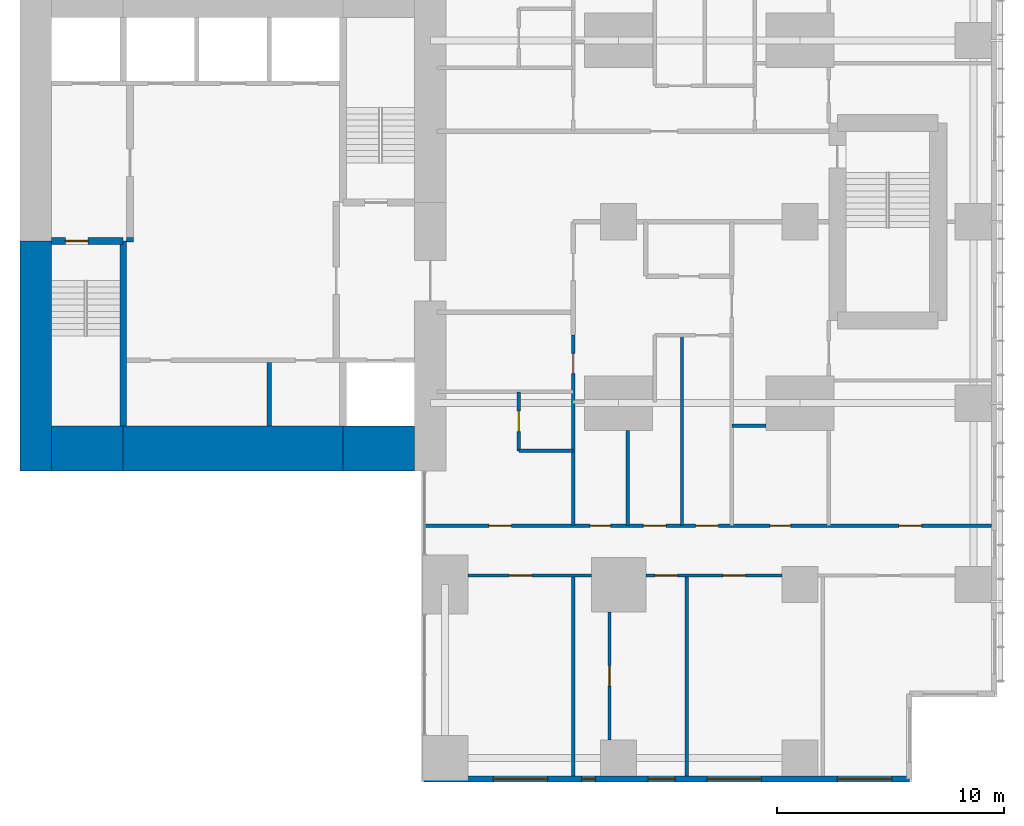
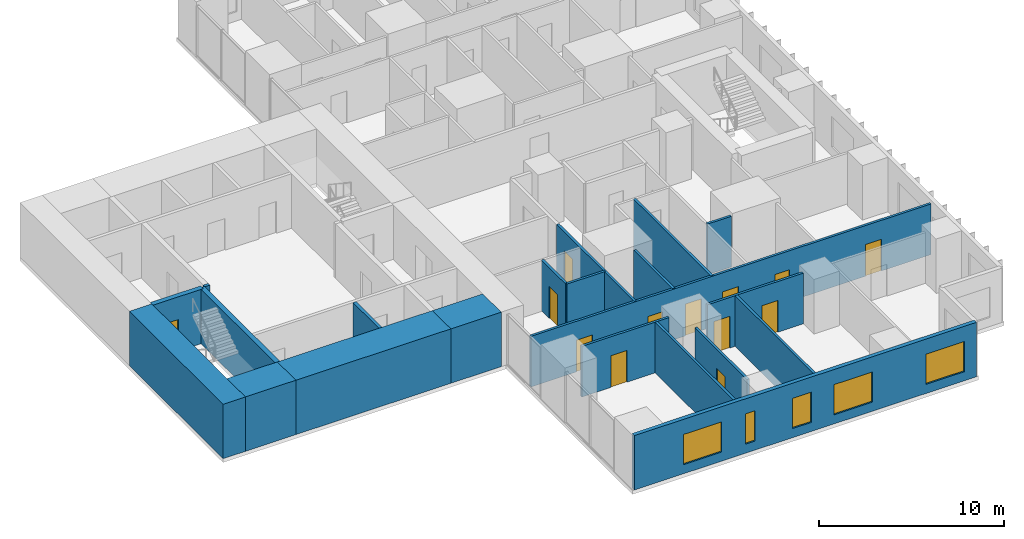
# One storey, part 7 of 12: 21 walls, 13 doors, 5 windows, 18 openings.
"""IFC4 building model written with IfcOpenShell, lengths in metres."""

import ifcopenshell
import ifcopenshell.guid

model = None  # the IFC model being written
_history = None  # IfcOwnerHistory: only IFC2X3 demands one
_inside = {}  # id of a spatial element -> (the spatial element, [elements in it])
_under = {}  # id of a project, library or spatial element -> (it, [spatial elements below it])
_declared = {}  # id of a project -> (the project, [libraries it declares])
_typed = {}  # id of a type object -> (the type object, [elements of that type])
_made_of = {}  # id of a material, layer set ... -> (it, [elements and type objects made of it])


def new_model(schema):
    """Start an empty IFC model of exactly this schema.

    Asked for "IFC4X3", IfcOpenShell would pick the latest addendum, in which some entities
    have other attributes; the version numbers below select the first issue.
    IFC2X3 requires an IfcOwnerHistory on every rooted entity: one is made here for all.
    """
    global model, _history
    if schema == "IFC4X3":
        model = ifcopenshell.file(schema_version=(4, 3, 0, 0))
    else:
        model = ifcopenshell.file(schema=schema)
    _inside.clear()
    _under.clear()
    _declared.clear()
    _typed.clear()
    _made_of.clear()
    _history = None
    if model.schema == "IFC2X3":
        org = make("IfcOrganization", Name="unknown")
        user = make(
            "IfcPersonAndOrganization",
            ThePerson=make("IfcPerson", FamilyName="unknown"),
            TheOrganization=org,
        )
        app = make(
            "IfcApplication",
            ApplicationDeveloper=org,
            Version="unknown",
            ApplicationFullName="unknown",
            ApplicationIdentifier="unknown",
        )
        _history = make(
            "IfcOwnerHistory",
            OwningUser=user,
            OwningApplication=app,
            ChangeAction="ADDED",
            CreationDate=0,
        )
    return model


def make(cls, **values):
    """One entity of the class cls with the attributes given. An attribute that is None is left unset."""
    return model.create_entity(
        cls, **{name: value for name, value in values.items() if value is not None}
    )


def rooted(cls, **values):
    """An entity with a GlobalId (a new one), such as an element, a storey or a relation."""
    return make(cls, GlobalId=ifcopenshell.guid.new(), OwnerHistory=_history, **values)


def si_unit(unit_type, name, prefix=None):
    """IfcSIUnit, for example si_unit("LENGTHUNIT", "METRE", prefix="MILLI")."""
    return make("IfcSIUnit", UnitType=unit_type, Prefix=prefix, Name=name)


def assignment(units):
    """IfcUnitAssignment: the units of a project."""
    return None if units is None else make("IfcUnitAssignment", Units=units)


def point(xyz):
    """IfcCartesianPoint."""
    return None if xyz is None else make("IfcCartesianPoint", Coordinates=xyz)


def direction(xyz):
    """IfcDirection."""
    return None if xyz is None else make("IfcDirection", DirectionRatios=xyz)


def frame(location, z_axis=None, x_axis=None):
    """IfcAxis2Placement3D, a coordinate frame: its origin and axes. An axis left out is left unset."""
    return make(
        "IfcAxis2Placement3D",
        Location=point(location),
        Axis=direction(z_axis),
        RefDirection=direction(x_axis),
    )


def frame_2d(location, x_axis=None):
    """IfcAxis2Placement2D, a coordinate frame in the plane: its origin and x axis."""
    return make(
        "IfcAxis2Placement2D", Location=point(location), RefDirection=direction(x_axis)
    )


def origin():
    """The frame at (0, 0, 0) with its axes left unset."""
    return frame((0.0, 0.0, 0.0))


def place(relative_to, where):
    """IfcLocalPlacement: puts the frame where relative to a parent placement (None: the world)."""
    return make(
        "IfcLocalPlacement", PlacementRelTo=relative_to, RelativePlacement=where
    )


def context(
    kind, dimensions, precision=None, world=None, true_north=None, identifier=None
):
    """IfcGeometricRepresentationContext, for example the 3D "Model" context."""
    return make(
        "IfcGeometricRepresentationContext",
        ContextIdentifier=identifier,
        ContextType=kind,
        CoordinateSpaceDimension=dimensions,
        Precision=precision,
        WorldCoordinateSystem=world,
        TrueNorth=true_north,
    )


def subcontext(parent, identifier, kind, view, scale=None):
    """IfcGeometricRepresentationSubContext, for example "Body" below "Model"."""
    return make(
        "IfcGeometricRepresentationSubContext",
        ContextIdentifier=identifier,
        ContextType=kind,
        ParentContext=parent,
        TargetScale=scale,
        TargetView=view,
    )


def project(units=None, contexts=None):
    """IfcProject with its units and contexts."""
    return rooted(
        "IfcProject",
        Name="project",
        RepresentationContexts=contexts,
        UnitsInContext=assignment(units),
    )


def spatial(cls, under=None, at=None, **own):
    """A site, building, storey or space (cls), placed at a placement, below another one or the project."""
    s = rooted(cls, ObjectPlacement=at, **own)
    if under is not None:
        _under.setdefault(under.id(), (under, []))[1].append(s)
    return s


def profile(cls, at=None, kind="AREA", **sizes):
    """A parametric profile (cls). Its sizes go by their IFC names, for example OverallWidth=200.0."""
    return make(cls, ProfileType=kind, Position=at, **sizes)


def rectangle(**sizes):
    """IfcRectangleProfileDef."""
    return profile("IfcRectangleProfileDef", **sizes)


def extrude(swept, where, along, depth):
    """IfcExtrudedAreaSolid: the profile swept, set in the frame where, extruded along a direction by depth."""
    return make(
        "IfcExtrudedAreaSolid",
        SweptArea=swept,
        Position=where,
        ExtrudedDirection=direction(along),
        Depth=depth,
    )


def shape(context_of_items, identifier, shape_type, items):
    """IfcShapeRepresentation: the items that make up one representation, for example the "Body"."""
    return make(
        "IfcShapeRepresentation",
        ContextOfItems=context_of_items,
        RepresentationIdentifier=identifier,
        RepresentationType=shape_type,
        Items=items,
    )


def material(Name=None, Category=None):
    """IfcMaterial."""
    return make("IfcMaterial", Name=Name, Category=Category)


def layer(
    of_material, thickness, ventilated=None, Name=None, Category=None, Priority=None
):
    """IfcMaterialLayer: one layer of a wall or slab, of a material (None: an air gap)."""
    return make(
        "IfcMaterialLayer",
        Material=of_material,
        LayerThickness=thickness,
        IsVentilated=ventilated,
        Name=Name,
        Category=Category,
        Priority=Priority,
    )


def layer_set(layers, Name=None):
    """IfcMaterialLayerSet."""
    return make("IfcMaterialLayerSet", MaterialLayers=layers, LayerSetName=Name)


def made_of(thing, what):
    """Note that an element or type object is made of a material, layer set ...; save() writes the relation."""
    if what is not None:
        _made_of.setdefault(what.id(), (what, []))[1].append(thing)
    return thing


def type_object(cls, material=None, **own):
    """A type object (cls), such as IfcWallType, which elements share."""
    return made_of(rooted(cls, **own), material)


def element(
    cls,
    number,
    at=None,
    inside=None,
    cuts=None,
    type_object=None,
    material=None,
    context=None,
    identifier="Body",
    shape_type=None,
    held_by="IfcProductDefinitionShape",
    body=None,
    shapes=None,
    **own,
):
    """One element of the class cls, such as IfcWall. Its Tag is "e" and its number.

    at: its placement. inside: the storey or other place that contains it. cuts: it is an
    opening in that element (IfcRelVoidsElement). A single representation is given by context,
    identifier, shape_type and body (its items); several are given by shapes. held_by: the class
    of the entity that holds the representations. save() writes the other relations.
    """
    e = rooted(cls, Tag="e%d" % number, ObjectPlacement=at, **own)
    if body is not None:
        shapes = [shape(context, identifier, shape_type, body)]
    if shapes is not None:
        e.Representation = make(held_by, Representations=shapes)
    if inside is not None:
        _inside.setdefault(inside.id(), (inside, []))[1].append(e)
    if cuts is not None:
        rooted(
            "IfcRelVoidsElement", RelatingBuildingElement=cuts, RelatedOpeningElement=e
        )
    if type_object is not None:
        _typed.setdefault(type_object.id(), (type_object, []))[1].append(e)
    return made_of(e, material)


def fill(opening, filler):
    """IfcRelFillsElement: the door or window that sits in an opening."""
    return rooted(
        "IfcRelFillsElement",
        RelatingOpeningElement=opening,
        RelatedBuildingElement=filler,
    )


def aggregate(whole, parts):
    """IfcRelAggregates: a whole, such as a stair, and the parts it consists of."""
    return rooted("IfcRelAggregates", RelatingObject=whole, RelatedObjects=parts)


def save(model, path):
    """Write the relations noted so far, then the file.

    IfcRelAggregates (storeys below a building ...), IfcRelContainedInSpatialStructure (elements
    in a storey), IfcRelDefinesByType, IfcRelAssociatesMaterial and IfcRelDeclares: one each for
    every whole, place, type object, material and project.
    """
    for whole, parts in _under.values():
        aggregate(whole, parts)
    for where, things in _inside.values():
        rooted(
            "IfcRelContainedInSpatialStructure",
            RelatedElements=things,
            RelatingStructure=where,
        )
    for kind, things in _typed.values():
        rooted("IfcRelDefinesByType", RelatedObjects=things, RelatingType=kind)
    for what, things in _made_of.values():
        rooted("IfcRelAssociatesMaterial", RelatedObjects=things, RelatingMaterial=what)
    for by, libraries in _declared.values():
        rooted("IfcRelDeclares", RelatingContext=by, RelatedDefinitions=libraries)
    model.write(path)


model = new_model("IFC4")

# Units and contexts
model_context = context("Model", 3, precision=1e-05, world=origin(), true_north=direction((0.0, 1.0)))
body_context = subcontext(model_context, "Body", "Model", "MODEL_VIEW")
ifc_project = project(units=[si_unit("LENGTHUNIT", "METRE"), si_unit("AREAUNIT", "SQUARE_METRE"), si_unit("VOLUMEUNIT", "CUBIC_METRE"), si_unit("PLANEANGLEUNIT", "RADIAN"), si_unit("MASSUNIT", "GRAM", prefix="KILO")], contexts=[model_context])

# Site, building, storey
site_placement = place(None, origin())
site = spatial("IfcSite", under=ifc_project, at=site_placement, CompositionType="ELEMENT")
building_placement = place(site_placement, origin())
building = spatial("IfcBuilding", under=site, at=building_placement, Name="Cleftline Residences", CompositionType="ELEMENT")
storey_placement = place(building_placement, frame((0.0, 0.0, 248.39990234375)))
storey = spatial("IfcBuildingStorey", under=building, at=storey_placement, Name="L65", CompositionType="ELEMENT", Elevation=248.39990234375)

# Walls
ifc_material_1 = material(Name="Concrete B70", Category="concrete")
ifc_layer_1 = layer(ifc_material_1, 1.39990234375)
ifc_layer_set_1 = layer_set([ifc_layer_1], Name="CORE WALL 1400")
wall_type_1 = type_object("IfcWallType", Name="CORE WALL 1400", PredefinedType="SHEAR", material=ifc_layer_set_1)
wall_1_placement = place(storey_placement, frame((24.300048828125, 13.0, 0.0), z_axis=(0.0, 0.0, 1.0), x_axis=(0.0, 1.0, 0.0)))
element("IfcWall", 1, at=wall_1_placement, inside=storey, type_object=wall_type_1, Name="Core wall W0", PredefinedType="SHEAR", context=body_context, shape_type="SweptSolid", body=[
    extrude(rectangle(XDim=10.14990234375, YDim=1.39990234375, at=frame_2d((5.074951171875, 0.0))), origin(), (0.0, 0.0, 1.0), 3.60009765625),
])
ifc_material_2 = material(Name="Concrete B70", Category="concrete")
ifc_layer_2 = layer(ifc_material_2, 2.0)
ifc_layer_set_2 = layer_set([ifc_layer_2], Name="CORE WALL 2000")
wall_type_2 = type_object("IfcWallType", Name="CORE WALL 2000", PredefinedType="SHEAR", material=ifc_layer_set_2)
wall_2_placement = place(storey_placement, frame((25.0, 14.0, 0.0), z_axis=(0.0, 0.0, 1.0), x_axis=(1.0, 0.0, 0.0)))
element("IfcWall", 2, at=wall_2_placement, inside=storey, type_object=wall_type_2, Name="Core wall S1", PredefinedType="SHEAR", context=body_context, shape_type="SweptSolid", body=[
    extrude(rectangle(XDim=3.14990234375, YDim=2.0, at=frame_2d((1.574951171875, 0.0))), origin(), (0.0, 0.0, 1.0), 3.60009765625),
])
wall_3_placement = place(storey_placement, frame((28.14990234375, 14.0, 0.0), z_axis=(0.0, 0.0, 1.0), x_axis=(1.0, 0.0, 0.0)))
element("IfcWall", 3, at=wall_3_placement, inside=storey, type_object=wall_type_2, Name="Core wall S2", PredefinedType="SHEAR", context=body_context, shape_type="SweptSolid", body=[
    extrude(rectangle(XDim=9.7001953125, YDim=2.0, at=frame_2d((4.85009765625, 0.0))), origin(), (0.0, 0.0, 1.0), 3.60009765625),
])
wall_4_placement = place(storey_placement, frame((37.85009765625, 14.0, 0.0), z_axis=(0.0, 0.0, 1.0), x_axis=(1.0, 0.0, 0.0)))
element("IfcWall", 4, at=wall_4_placement, inside=storey, type_object=wall_type_2, Name="Core wall S3", PredefinedType="SHEAR", context=body_context, shape_type="SweptSolid", body=[
    extrude(rectangle(XDim=3.14990234375, YDim=2.0, at=frame_2d((1.574951171875, 0.0))), origin(), (0.0, 0.0, 1.0), 3.60009765625),
])
ifc_material_3 = material(Name="Concrete B70", Category="concrete")
ifc_layer_3 = layer(ifc_material_3, 0.300048828125)
ifc_layer_set_3 = layer_set([ifc_layer_3], Name="CORE WALL 300")
wall_type_3 = type_object("IfcWallType", Name="CORE WALL 300", PredefinedType="SHEAR", material=ifc_layer_set_3)
wall_5_placement = place(storey_placement, frame((28.14990234375, 15.0, 0.0), z_axis=(0.0, 0.0, 1.0), x_axis=(0.0, 1.0, 0.0)))
element("IfcWall", 5, at=wall_5_placement, inside=storey, type_object=wall_type_3, Name="Core wall SA-E", PredefinedType="SHEAR", context=body_context, shape_type="SweptSolid", body=[
    extrude(rectangle(XDim=8.14990234375, YDim=0.300048828125, at=frame_2d((4.074951171875, 0.0))), origin(), (0.0, 0.0, 1.0), 3.60009765625),
])

# Wall, opening, door
wall_6_placement = place(storey_placement, frame((25.0, 23.14990234375, 0.0), z_axis=(0.0, 0.0, 1.0), x_axis=(1.0, 0.0, 0.0)))
wall_6 = element("IfcWall", 6, at=wall_6_placement, inside=storey, type_object=wall_type_3, Name="Core wall SA-N", PredefinedType="SHEAR", context=body_context, shape_type="SweptSolid", body=[
    extrude(rectangle(XDim=3.14990234375, YDim=0.300048828125, at=frame_2d((1.574951171875, 0.0))), origin(), (0.0, 0.0, 1.0), 3.60009765625),
])
opening_1_placement = place(wall_6_placement, frame((0.60009765625, 0.0, 0.0)))
opening_1 = element("IfcOpeningElement", 7, at=opening_1_placement, cuts=wall_6, Name="Opening D5", PredefinedType="OPENING", context=body_context, shape_type="SweptSolid", body=[
    extrude(rectangle(XDim=1.0, YDim=2.10009765625, at=frame_2d((0.5, 1.050048828125))), frame((0.0, 0.159912109375, 0.0), z_axis=(0.0, -1.0, 0.0), x_axis=(1.0, 0.0, 0.0)), (0.0, 0.0, 1.0), 0.320068359375),
])
ifc_material_4 = material(Name="Steel", Category="steel")
door_type_1 = type_object("IfcDoorType", Name="STAIR DOOR 1000X2100", OperationType="SINGLE_SWING_LEFT", PredefinedType="DOOR", material=ifc_material_4)
door_1_placement = place(opening_1_placement, origin())
door_1 = element("IfcDoor", 8, at=door_1_placement, inside=storey, type_object=door_type_1, Name="Stair A door", OperationType="SINGLE_SWING_RIGHT", OverallHeight=2.10009765625, OverallWidth=1.0, PredefinedType="DOOR", context=body_context, shape_type="SweptSolid", body=[
    extrude(rectangle(XDim=1.0, YDim=2.10009765625, at=frame_2d((0.5, 1.050048828125))), frame((0.0, 0.02490234375, 0.0), z_axis=(0.0, -1.0, 0.0), x_axis=(1.0, 0.0, 0.0)), (0.0, 0.0, 1.0), 0.050048828125),
])
fill(opening_1, door_1)

# Wall, openings, windows
ifc_material_5 = material(Name="Rendered reinforced concrete blockwork", Category="masonry")
ifc_layer_4 = layer(ifc_material_5, 0.25)
ifc_layer_set_4 = layer_set([ifc_layer_4], Name="EXTERNAL WALL 250")
wall_type_4 = type_object("IfcWallType", Name="EXTERNAL WALL 250", PredefinedType="SOLIDWALL", material=ifc_layer_set_4)
wall_7_placement = place(storey_placement, frame((41.425048828125, -0.574951171875, 0.0), z_axis=(0.0, 0.0, 1.0), x_axis=(1.0, 0.0, 0.0)))
wall_7 = element("IfcWall", 9, at=wall_7_placement, inside=storey, type_object=wall_type_4, Name="External wall", PredefinedType="SOLIDWALL", context=body_context, shape_type="SweptSolid", body=[
    extrude(rectangle(XDim=21.39990234375, YDim=0.25, at=frame_2d((10.699951171875, 0.0))), origin(), (0.0, 0.0, 1.0), 3.60009765625),
])
opening_2_placement = place(wall_7_placement, frame((3.050048828125, 0.0, 0.60009765625)))
opening_2 = element("IfcOpeningElement", 10, at=opening_2_placement, cuts=wall_7, Name="Opening W6", PredefinedType="OPENING", context=body_context, shape_type="SweptSolid", body=[
    extrude(rectangle(XDim=2.39990234375, YDim=2.0, at=frame_2d((1.199951171875, 1.0))), frame((0.0, 0.135009765625, 0.0), z_axis=(0.0, -1.0, 0.0), x_axis=(1.0, 0.0, 0.0)), (0.0, 0.0, 1.0), 0.27001953125),
])
opening_3_placement = place(wall_7_placement, frame((6.949951171875, 0.0, 0.60009765625)))
opening_3 = element("IfcOpeningElement", 11, at=opening_3_placement, cuts=wall_7, Name="Opening W7", PredefinedType="OPENING", context=body_context, shape_type="SweptSolid", body=[
    extrude(rectangle(XDim=0.60009765625, YDim=2.0, at=frame_2d((0.300048828125, 1.0))), frame((0.0, 0.135009765625, 0.0), z_axis=(0.0, -1.0, 0.0), x_axis=(1.0, 0.0, 0.0)), (0.0, 0.0, 1.0), 0.27001953125),
])
opening_4_placement = place(wall_7_placement, frame((9.875, 0.0, 0.60009765625)))
opening_4 = element("IfcOpeningElement", 12, at=opening_4_placement, cuts=wall_7, Name="Opening W8", PredefinedType="OPENING", context=body_context, shape_type="SweptSolid", body=[
    extrude(rectangle(XDim=1.199951171875, YDim=2.0, at=frame_2d((0.60009765625, 1.0))), frame((0.0, 0.135009765625, 0.0), z_axis=(0.0, -1.0, 0.0), x_axis=(1.0, 0.0, 0.0)), (0.0, 0.0, 1.0), 0.27001953125),
])
opening_5_placement = place(wall_7_placement, frame((12.47509765625, 0.0, 0.60009765625)))
opening_5 = element("IfcOpeningElement", 13, at=opening_5_placement, cuts=wall_7, Name="Opening W6", PredefinedType="OPENING", context=body_context, shape_type="SweptSolid", body=[
    extrude(rectangle(XDim=2.39990234375, YDim=2.0, at=frame_2d((1.199951171875, 1.0))), frame((0.0, 0.135009765625, 0.0), z_axis=(0.0, -1.0, 0.0), x_axis=(1.0, 0.0, 0.0)), (0.0, 0.0, 1.0), 0.27001953125),
])
opening_6_placement = place(wall_7_placement, frame((18.22509765625, 0.0, 0.60009765625)))
opening_6 = element("IfcOpeningElement", 14, at=opening_6_placement, cuts=wall_7, Name="Opening W6", PredefinedType="OPENING", context=body_context, shape_type="SweptSolid", body=[
    extrude(rectangle(XDim=2.39990234375, YDim=2.0, at=frame_2d((1.199951171875, 1.0))), frame((0.0, 0.135009765625, 0.0), z_axis=(0.0, -1.0, 0.0), x_axis=(1.0, 0.0, 0.0)), (0.0, 0.0, 1.0), 0.27001953125),
])
ifc_material_6 = material(Name="Aluminium frame, clear double glazing", Category="aluminium")
window_type_1 = type_object("IfcWindowType", Name="WINDOW 1200X2000", PartitioningType="DOUBLE_PANEL_VERTICAL", PredefinedType="WINDOW", material=ifc_material_6)
window_1_placement = place(opening_4_placement, origin())
window_1 = element("IfcWindow", 15, at=window_1_placement, inside=storey, type_object=window_type_1, Name="Window", OverallHeight=2.0, OverallWidth=1.199951171875, PartitioningType="SINGLE_PANEL", PredefinedType="WINDOW", context=body_context, shape_type="SweptSolid", body=[
    extrude(rectangle(XDim=1.199951171875, YDim=2.0, at=frame_2d((0.60009765625, 1.0))), frame((0.0, 0.030029296875, 0.0), z_axis=(0.0, -1.0, 0.0), x_axis=(1.0, 0.0, 0.0)), (0.0, 0.0, 1.0), 0.06005859375),
])
fill(opening_4, window_1)
ifc_material_7 = material(Name="Aluminium frame, clear double glazing", Category="aluminium")
window_type_2 = type_object("IfcWindowType", Name="WINDOW 2400X2000", PartitioningType="DOUBLE_PANEL_VERTICAL", PredefinedType="WINDOW", material=ifc_material_7)
window_2_placement = place(opening_2_placement, origin())
window_2 = element("IfcWindow", 16, at=window_2_placement, inside=storey, type_object=window_type_2, Name="Window", OverallHeight=2.0, OverallWidth=2.39990234375, PartitioningType="SINGLE_PANEL", PredefinedType="WINDOW", context=body_context, shape_type="SweptSolid", body=[
    extrude(rectangle(XDim=2.39990234375, YDim=2.0, at=frame_2d((1.199951171875, 1.0))), frame((0.0, 0.030029296875, 0.0), z_axis=(0.0, -1.0, 0.0), x_axis=(1.0, 0.0, 0.0)), (0.0, 0.0, 1.0), 0.06005859375),
])
fill(opening_2, window_2)
window_3_placement = place(opening_5_placement, origin())
window_3 = element("IfcWindow", 17, at=window_3_placement, inside=storey, type_object=window_type_2, Name="Window", OverallHeight=2.0, OverallWidth=2.39990234375, PartitioningType="SINGLE_PANEL", PredefinedType="WINDOW", context=body_context, shape_type="SweptSolid", body=[
    extrude(rectangle(XDim=2.39990234375, YDim=2.0, at=frame_2d((1.199951171875, 1.0))), frame((0.0, 0.030029296875, 0.0), z_axis=(0.0, -1.0, 0.0), x_axis=(1.0, 0.0, 0.0)), (0.0, 0.0, 1.0), 0.06005859375),
])
fill(opening_5, window_3)
window_4_placement = place(opening_6_placement, origin())
window_4 = element("IfcWindow", 18, at=window_4_placement, inside=storey, type_object=window_type_2, Name="Window", OverallHeight=2.0, OverallWidth=2.39990234375, PartitioningType="SINGLE_PANEL", PredefinedType="WINDOW", context=body_context, shape_type="SweptSolid", body=[
    extrude(rectangle(XDim=2.39990234375, YDim=2.0, at=frame_2d((1.199951171875, 1.0))), frame((0.0, 0.030029296875, 0.0), z_axis=(0.0, -1.0, 0.0), x_axis=(1.0, 0.0, 0.0)), (0.0, 0.0, 1.0), 0.06005859375),
])
fill(opening_6, window_4)
ifc_material_8 = material(Name="Aluminium frame, clear double glazing", Category="aluminium")
window_type_3 = type_object("IfcWindowType", Name="WINDOW 600X2000", PartitioningType="DOUBLE_PANEL_VERTICAL", PredefinedType="WINDOW", material=ifc_material_8)
window_5_placement = place(opening_3_placement, origin())
window_5 = element("IfcWindow", 19, at=window_5_placement, inside=storey, type_object=window_type_3, Name="Window", OverallHeight=2.0, OverallWidth=0.60009765625, PartitioningType="SINGLE_PANEL", PredefinedType="WINDOW", context=body_context, shape_type="SweptSolid", body=[
    extrude(rectangle(XDim=0.60009765625, YDim=2.0, at=frame_2d((0.300048828125, 1.0))), frame((0.0, 0.030029296875, 0.0), z_axis=(0.0, -1.0, 0.0), x_axis=(1.0, 0.0, 0.0)), (0.0, 0.0, 1.0), 0.06005859375),
])
fill(opening_3, window_5)

# Wall
ifc_material_9 = material(Name="Concrete blockwork, fire rated", Category="masonry")
ifc_layer_5 = layer(ifc_material_9, 0.199951171875)
ifc_layer_set_5 = layer_set([ifc_layer_5], Name="FIRE WALL 200")
wall_type_5 = type_object("IfcWallType", Name="FIRE WALL 200", PredefinedType="PARTITIONING", material=ifc_layer_set_5)
wall_8_placement = place(storey_placement, frame((28.300048828125, 23.199951171875, 0.0), z_axis=(0.0, 0.0, 1.0), x_axis=(1.0, 0.0, 0.0)))
element("IfcWall", 20, at=wall_8_placement, inside=storey, type_object=wall_type_5, Name="Fire separating wall", PredefinedType="PARTITIONING", context=body_context, shape_type="SweptSolid", body=[
    extrude(rectangle(XDim=0.300048828125, YDim=0.199951171875, at=frame_2d((0.14990234375, 0.0))), origin(), (0.0, 0.0, 1.0), 3.60009765625),
])

# Wall, opening, door
ifc_material_10 = material(Name="Gypsum board on steel studs", Category="steel")
ifc_layer_6 = layer(ifc_material_10, 0.14990234375)
ifc_layer_set_6 = layer_set([ifc_layer_6], Name="PARTITION 150")
wall_type_6 = type_object("IfcWallType", Name="PARTITION 150", PredefinedType="PARTITIONING", material=ifc_layer_set_6)
wall_9_placement = place(storey_placement, frame((43.35009765625, 8.39990234375, 0.0), z_axis=(0.0, 0.0, 1.0), x_axis=(1.0, 0.0, 0.0)))
wall_9 = element("IfcWall", 21, at=wall_9_placement, inside=storey, type_object=wall_type_6, Name="Partition", PredefinedType="PARTITIONING", context=body_context, shape_type="SweptSolid", body=[
    extrude(rectangle(XDim=5.449951171875, YDim=0.14990234375, at=frame_2d((2.72509765625, 0.0))), origin(), (0.0, 0.0, 1.0), 3.35009765625),
])
opening_7_placement = place(wall_9_placement, frame((1.824951171875, 0.0, 0.0)))
opening_7 = element("IfcOpeningElement", 22, at=opening_7_placement, cuts=wall_9, Name="Opening D2", PredefinedType="OPENING", context=body_context, shape_type="SweptSolid", body=[
    extrude(rectangle(XDim=1.0, YDim=2.10009765625, at=frame_2d((0.5, 1.050048828125))), frame((0.0, 0.0849609375, 0.0), z_axis=(0.0, -1.0, 0.0), x_axis=(1.0, 0.0, 0.0)), (0.0, 0.0, 1.0), 0.169921875),
])
ifc_material_11 = material(Name="Timber veneer on solid core", Category="wood")
door_type_2 = type_object("IfcDoorType", Name="DOOR 1000X2100", OperationType="SINGLE_SWING_LEFT", PredefinedType="DOOR", material=ifc_material_11)
door_2_placement = place(opening_7_placement, origin())
door_2 = element("IfcDoor", 23, at=door_2_placement, inside=storey, type_object=door_type_2, Name="Door to breakfast room", OperationType="SINGLE_SWING_RIGHT", OverallHeight=2.10009765625, OverallWidth=1.0, PredefinedType="DOOR", context=body_context, shape_type="SweptSolid", body=[
    extrude(rectangle(XDim=1.0, YDim=2.10009765625, at=frame_2d((0.5, 1.050048828125))), frame((0.0, 0.02490234375, 0.0), z_axis=(0.0, -1.0, 0.0), x_axis=(1.0, 0.0, 0.0)), (0.0, 0.0, 1.0), 0.050048828125),
])
fill(opening_7, door_2)

# Wall, openings, doors
wall_10_placement = place(storey_placement, frame((51.199951171875, 8.39990234375, 0.0), z_axis=(0.0, 0.0, 1.0), x_axis=(1.0, 0.0, 0.0)))
wall_10 = element("IfcWall", 24, at=wall_10_placement, inside=storey, type_object=wall_type_6, Name="Partition", PredefinedType="PARTITIONING", context=body_context, shape_type="SweptSolid", body=[
    extrude(rectangle(XDim=6.0, YDim=0.14990234375, at=frame_2d((3.0, 0.0))), origin(), (0.0, 0.0, 1.0), 3.35009765625),
])
opening_8_placement = place(wall_10_placement, frame((3.39990234375, 0.0, 0.0)))
opening_8 = element("IfcOpeningElement", 25, at=opening_8_placement, cuts=wall_10, Name="Opening D2", PredefinedType="OPENING", context=body_context, shape_type="SweptSolid", body=[
    extrude(rectangle(XDim=1.0, YDim=2.10009765625, at=frame_2d((0.5, 1.050048828125))), frame((0.0, 0.0849609375, 0.0), z_axis=(0.0, -1.0, 0.0), x_axis=(1.0, 0.0, 0.0)), (0.0, 0.0, 1.0), 0.169921875),
])
opening_9_placement = place(wall_10_placement, frame((0.39990234375, 0.0, 0.0)))
opening_9 = element("IfcOpeningElement", 26, at=opening_9_placement, cuts=wall_10, Name="Opening D2", PredefinedType="OPENING", context=body_context, shape_type="SweptSolid", body=[
    extrude(rectangle(XDim=1.0, YDim=2.10009765625, at=frame_2d((0.5, 1.050048828125))), frame((0.0, 0.0849609375, 0.0), z_axis=(0.0, -1.0, 0.0), x_axis=(1.0, 0.0, 0.0)), (0.0, 0.0, 1.0), 0.169921875),
])
door_3_placement = place(opening_8_placement, origin())
door_3 = element("IfcDoor", 27, at=door_3_placement, inside=storey, type_object=door_type_2, Name="Door to dining room", OperationType="SINGLE_SWING_LEFT", OverallHeight=2.10009765625, OverallWidth=1.0, PredefinedType="DOOR", context=body_context, shape_type="SweptSolid", body=[
    extrude(rectangle(XDim=1.0, YDim=2.10009765625, at=frame_2d((0.5, 1.050048828125))), frame((0.0, 0.02490234375, 0.0), z_axis=(0.0, -1.0, 0.0), x_axis=(1.0, 0.0, 0.0)), (0.0, 0.0, 1.0), 0.050048828125),
])
fill(opening_8, door_3)
door_4_placement = place(opening_9_placement, origin())
door_4 = element("IfcDoor", 28, at=door_4_placement, inside=storey, type_object=door_type_2, Name="Door to show kitchen", OperationType="SINGLE_SWING_RIGHT", OverallHeight=2.10009765625, OverallWidth=1.0, PredefinedType="DOOR", context=body_context, shape_type="SweptSolid", body=[
    extrude(rectangle(XDim=1.0, YDim=2.10009765625, at=frame_2d((0.5, 1.050048828125))), frame((0.0, 0.02490234375, 0.0), z_axis=(0.0, -1.0, 0.0), x_axis=(1.0, 0.0, 0.0)), (0.0, 0.0, 1.0), 0.050048828125),
])
fill(opening_9, door_4)

wall_11_placement = place(storey_placement, frame((41.43896484375, 10.60009765625, 0.0), z_axis=(0.0, 0.0, 1.0), x_axis=(1.0, 0.0, 0.0)))
wall_11 = element("IfcWall", 29, at=wall_11_placement, inside=storey, type_object=wall_type_6, Name="Partition", PredefinedType="PARTITIONING", context=body_context, shape_type="SweptSolid", body=[
    extrude(rectangle(XDim=25.010986328125, YDim=0.14990234375, at=frame_2d((12.50537109375, 0.0))), origin(), (0.0, 0.0, 1.0), 3.35009765625),
])
opening_10_placement = place(wall_11_placement, frame((11.9609375, 0.0, 0.0)))
opening_10 = element("IfcOpeningElement", 30, at=opening_10_placement, cuts=wall_11, Name="Opening D2", PredefinedType="OPENING", context=body_context, shape_type="SweptSolid", body=[
    extrude(rectangle(XDim=1.0, YDim=2.10009765625, at=frame_2d((0.5, 1.050048828125))), frame((0.0, 0.0849609375, 0.0), z_axis=(0.0, -1.0, 0.0), x_axis=(1.0, 0.0, 0.0)), (0.0, 0.0, 1.0), 0.169921875),
])
opening_11_placement = place(wall_11_placement, frame((20.923583984375, 0.0, 0.0)))
opening_11 = element("IfcOpeningElement", 31, at=opening_11_placement, cuts=wall_11, Name="Opening D2", PredefinedType="OPENING", context=body_context, shape_type="SweptSolid", body=[
    extrude(rectangle(XDim=1.0, YDim=2.10009765625, at=frame_2d((0.5, 1.050048828125))), frame((0.0, 0.0849609375, 0.0), z_axis=(0.0, -1.0, 0.0), x_axis=(1.0, 0.0, 0.0)), (0.0, 0.0, 1.0), 0.169921875),
])
opening_12_placement = place(wall_11_placement, frame((15.24853515625, 0.0, 0.0)))
opening_12 = element("IfcOpeningElement", 32, at=opening_12_placement, cuts=wall_11, Name="Opening D1", PredefinedType="OPENING", context=body_context, shape_type="SweptSolid", body=[
    extrude(rectangle(XDim=0.89990234375, YDim=2.10009765625, at=frame_2d((0.449951171875, 1.050048828125))), frame((0.0, 0.0849609375, 0.0), z_axis=(0.0, -1.0, 0.0), x_axis=(1.0, 0.0, 0.0)), (0.0, 0.0, 1.0), 0.169921875),
])
opening_13_placement = place(wall_11_placement, frame((9.660888671875, 0.0, 0.0)))
opening_13 = element("IfcOpeningElement", 33, at=opening_13_placement, cuts=wall_11, Name="Opening D2", PredefinedType="OPENING", context=body_context, shape_type="SweptSolid", body=[
    extrude(rectangle(XDim=1.0, YDim=2.10009765625, at=frame_2d((0.5, 1.050048828125))), frame((0.0, 0.0849609375, 0.0), z_axis=(0.0, -1.0, 0.0), x_axis=(1.0, 0.0, 0.0)), (0.0, 0.0, 1.0), 0.169921875),
])
opening_14_placement = place(wall_11_placement, frame((7.31103515625, 0.0, 0.0)))
opening_14 = element("IfcOpeningElement", 34, at=opening_14_placement, cuts=wall_11, Name="Opening D1", PredefinedType="OPENING", context=body_context, shape_type="SweptSolid", body=[
    extrude(rectangle(XDim=0.89990234375, YDim=2.10009765625, at=frame_2d((0.449951171875, 1.050048828125))), frame((0.0, 0.0849609375, 0.0), z_axis=(0.0, -1.0, 0.0), x_axis=(1.0, 0.0, 0.0)), (0.0, 0.0, 1.0), 0.169921875),
])
opening_15_placement = place(wall_11_placement, frame((2.8359375, 0.0, 0.0)))
opening_15 = element("IfcOpeningElement", 35, at=opening_15_placement, cuts=wall_11, Name="Opening D2", PredefinedType="OPENING", context=body_context, shape_type="SweptSolid", body=[
    extrude(rectangle(XDim=1.0, YDim=2.10009765625, at=frame_2d((0.5, 1.050048828125))), frame((0.0, 0.0849609375, 0.0), z_axis=(0.0, -1.0, 0.0), x_axis=(1.0, 0.0, 0.0)), (0.0, 0.0, 1.0), 0.169921875),
])
door_5_placement = place(opening_10_placement, origin())
door_5 = element("IfcDoor", 36, at=door_5_placement, inside=storey, type_object=door_type_2, Name="Door to residence hall", OperationType="SINGLE_SWING_RIGHT", OverallHeight=2.10009765625, OverallWidth=1.0, PredefinedType="DOOR", context=body_context, shape_type="SweptSolid", body=[
    extrude(rectangle(XDim=1.0, YDim=2.10009765625, at=frame_2d((0.5, 1.050048828125))), frame((0.0, 0.02490234375, 0.0), z_axis=(0.0, -1.0, 0.0), x_axis=(1.0, 0.0, 0.0)), (0.0, 0.0, 1.0), 0.050048828125),
])
fill(opening_10, door_5)
door_6_placement = place(opening_11_placement, origin())
door_6 = element("IfcDoor", 37, at=door_6_placement, inside=storey, type_object=door_type_2, Name="Door to sea-view great room", OperationType="SINGLE_SWING_LEFT", OverallHeight=2.10009765625, OverallWidth=1.0, PredefinedType="DOOR", context=body_context, shape_type="SweptSolid", body=[
    extrude(rectangle(XDim=1.0, YDim=2.10009765625, at=frame_2d((0.5, 1.050048828125))), frame((0.0, 0.02490234375, 0.0), z_axis=(0.0, -1.0, 0.0), x_axis=(1.0, 0.0, 0.0)), (0.0, 0.0, 1.0), 0.050048828125),
])
fill(opening_11, door_6)
door_7_placement = place(opening_13_placement, origin())
door_7 = element("IfcDoor", 38, at=door_7_placement, inside=storey, type_object=door_type_2, Name="Door to wet kitchen", OperationType="SINGLE_SWING_RIGHT", OverallHeight=2.10009765625, OverallWidth=1.0, PredefinedType="DOOR", context=body_context, shape_type="SweptSolid", body=[
    extrude(rectangle(XDim=1.0, YDim=2.10009765625, at=frame_2d((0.5, 1.050048828125))), frame((0.0, 0.02490234375, 0.0), z_axis=(0.0, -1.0, 0.0), x_axis=(1.0, 0.0, 0.0)), (0.0, 0.0, 1.0), 0.050048828125),
])
fill(opening_13, door_7)
door_8_placement = place(opening_15_placement, origin())
door_8 = element("IfcDoor", 39, at=door_8_placement, inside=storey, type_object=door_type_2, Name="Door to staff bedroom", OperationType="SINGLE_SWING_RIGHT", OverallHeight=2.10009765625, OverallWidth=1.0, PredefinedType="DOOR", context=body_context, shape_type="SweptSolid", body=[
    extrude(rectangle(XDim=1.0, YDim=2.10009765625, at=frame_2d((0.5, 1.050048828125))), frame((0.0, 0.02490234375, 0.0), z_axis=(0.0, -1.0, 0.0), x_axis=(1.0, 0.0, 0.0)), (0.0, 0.0, 1.0), 0.050048828125),
])
fill(opening_15, door_8)
ifc_material_12 = material(Name="Timber veneer on solid core", Category="wood")
door_type_3 = type_object("IfcDoorType", Name="DOOR 900X2100", OperationType="SINGLE_SWING_LEFT", PredefinedType="DOOR", material=ifc_material_12)
door_9_placement = place(opening_12_placement, origin())
door_9 = element("IfcDoor", 40, at=door_9_placement, inside=storey, type_object=door_type_3, Name="Door to wine room", OperationType="SINGLE_SWING_LEFT", OverallHeight=2.10009765625, OverallWidth=0.89990234375, PredefinedType="DOOR", context=body_context, shape_type="SweptSolid", body=[
    extrude(rectangle(XDim=0.89990234375, YDim=2.10009765625, at=frame_2d((0.449951171875, 1.050048828125))), frame((0.0, 0.02490234375, 0.0), z_axis=(0.0, -1.0, 0.0), x_axis=(1.0, 0.0, 0.0)), (0.0, 0.0, 1.0), 0.050048828125),
])
fill(opening_12, door_9)
door_10_placement = place(opening_14_placement, origin())
door_10 = element("IfcDoor", 41, at=door_10_placement, inside=storey, type_object=door_type_3, Name="Door to pantry", OperationType="SINGLE_SWING_RIGHT", OverallHeight=2.10009765625, OverallWidth=0.89990234375, PredefinedType="DOOR", context=body_context, shape_type="SweptSolid", body=[
    extrude(rectangle(XDim=0.89990234375, YDim=2.10009765625, at=frame_2d((0.449951171875, 1.050048828125))), frame((0.0, 0.02490234375, 0.0), z_axis=(0.0, -1.0, 0.0), x_axis=(1.0, 0.0, 0.0)), (0.0, 0.0, 1.0), 0.050048828125),
])
fill(opening_14, door_10)

# Walls
wall_12_placement = place(storey_placement, frame((45.60009765625, 13.89990234375, 0.0), z_axis=(0.0, 0.0, 1.0), x_axis=(1.0, 0.0, 0.0)))
element("IfcWall", 42, at=wall_12_placement, inside=storey, type_object=wall_type_6, Name="Partition", PredefinedType="PARTITIONING", context=body_context, shape_type="SweptSolid", body=[
    extrude(rectangle(XDim=2.39990234375, YDim=0.14990234375, at=frame_2d((1.199951171875, 0.0))), origin(), (0.0, 0.0, 1.0), 3.35009765625),
])
wall_13_placement = place(storey_placement, frame((55.0, 15.0, 0.0), z_axis=(0.0, 0.0, 1.0), x_axis=(1.0, 0.0, 0.0)))
element("IfcWall", 43, at=wall_13_placement, inside=storey, type_object=wall_type_6, Name="Partition", PredefinedType="PARTITIONING", context=body_context, shape_type="SweptSolid", body=[
    extrude(rectangle(XDim=1.5, YDim=0.14990234375, at=frame_2d((0.75, 0.0))), origin(), (0.0, 0.0, 1.0), 3.35009765625),
])

# Wall, opening, door
wall_14_placement = place(storey_placement, frame((45.60009765625, 13.89990234375, 0.0), z_axis=(0.0, 0.0, 1.0), x_axis=(0.0, 1.0, 0.0)))
wall_14 = element("IfcWall", 44, at=wall_14_placement, inside=storey, type_object=wall_type_6, Name="Partition", PredefinedType="PARTITIONING", context=body_context, shape_type="SweptSolid", body=[
    extrude(rectangle(XDim=2.60009765625, YDim=0.14990234375, at=frame_2d((1.300048828125, 0.0))), origin(), (0.0, 0.0, 1.0), 3.35009765625),
])
opening_16_placement = place(wall_14_placement, frame((0.85009765625, 0.0, 0.0)))
opening_16 = element("IfcOpeningElement", 45, at=opening_16_placement, cuts=wall_14, Name="Opening D1", PredefinedType="OPENING", context=body_context, shape_type="SweptSolid", body=[
    extrude(rectangle(XDim=0.89990234375, YDim=2.10009765625, at=frame_2d((0.449951171875, 1.050048828125))), frame((0.0, 0.0849609375, 0.0), z_axis=(0.0, -1.0, 0.0), x_axis=(1.0, 0.0, 0.0)), (0.0, 0.0, 1.0), 0.169921875),
])
door_11_placement = place(opening_16_placement, origin())
door_11 = element("IfcDoor", 46, at=door_11_placement, inside=storey, type_object=door_type_3, Name="Door to staff shower room", OperationType="SINGLE_SWING_LEFT", OverallHeight=2.10009765625, OverallWidth=0.89990234375, PredefinedType="DOOR", context=body_context, shape_type="SweptSolid", body=[
    extrude(rectangle(XDim=0.89990234375, YDim=2.10009765625, at=frame_2d((0.449951171875, 1.050048828125))), frame((0.0, 0.02490234375, 0.0), z_axis=(0.0, -1.0, 0.0), x_axis=(1.0, 0.0, 0.0)), (0.0, 0.0, 1.0), 0.050048828125),
])
fill(opening_16, door_11)

# Wall
wall_15_placement = place(storey_placement, frame((48.0, -0.449951171875, 0.0), z_axis=(0.0, 0.0, 1.0), x_axis=(0.0, 1.0, 0.0)))
element("IfcWall", 47, at=wall_15_placement, inside=storey, type_object=wall_type_6, Name="Partition", PredefinedType="PARTITIONING", context=body_context, shape_type="SweptSolid", body=[
    extrude(rectangle(XDim=8.849853515625, YDim=0.14990234375, at=frame_2d((4.4248046875, 0.0))), origin(), (0.0, 0.0, 1.0), 3.35009765625),
])

# Wall, opening, door
wall_16_placement = place(storey_placement, frame((48.0, 10.60009765625, 0.0), z_axis=(0.0, 0.0, 1.0), x_axis=(0.0, 1.0, 0.0)))
wall_16 = element("IfcWall", 48, at=wall_16_placement, inside=storey, type_object=wall_type_6, Name="Partition", PredefinedType="PARTITIONING", context=body_context, shape_type="SweptSolid", body=[
    extrude(rectangle(XDim=8.39990234375, YDim=0.14990234375, at=frame_2d((4.199951171875, 0.0))), origin(), (0.0, 0.0, 1.0), 3.35009765625),
])
opening_17_placement = place(wall_16_placement, frame((6.699951171875, 0.0, 0.0)))
opening_17 = element("IfcOpeningElement", 49, at=opening_17_placement, cuts=wall_16, Name="Opening D1", PredefinedType="OPENING", context=body_context, shape_type="SweptSolid", body=[
    extrude(rectangle(XDim=0.89990234375, YDim=2.10009765625, at=frame_2d((0.449951171875, 1.050048828125))), frame((0.0, 0.0849609375, 0.0), z_axis=(0.0, -1.0, 0.0), x_axis=(1.0, 0.0, 0.0)), (0.0, 0.0, 1.0), 0.169921875),
])
door_12_placement = place(opening_17_placement, origin())
door_12 = element("IfcDoor", 50, at=door_12_placement, inside=storey, type_object=door_type_3, Name="Door to drying loggia", OperationType="SINGLE_SWING_LEFT", OverallHeight=2.10009765625, OverallWidth=0.89990234375, PredefinedType="DOOR", context=body_context, shape_type="SweptSolid", body=[
    extrude(rectangle(XDim=0.89990234375, YDim=2.10009765625, at=frame_2d((0.449951171875, 1.050048828125))), frame((0.0, 0.02490234375, 0.0), z_axis=(0.0, -1.0, 0.0), x_axis=(1.0, 0.0, 0.0)), (0.0, 0.0, 1.0), 0.050048828125),
])
fill(opening_17, door_12)

wall_17_placement = place(storey_placement, frame((49.60009765625, 1.14990234375, 0.0), z_axis=(0.0, 0.0, 1.0), x_axis=(0.0, 1.0, 0.0)))
wall_17 = element("IfcWall", 51, at=wall_17_placement, inside=storey, type_object=wall_type_6, Name="Partition", PredefinedType="PARTITIONING", context=body_context, shape_type="SweptSolid", body=[
    extrude(rectangle(XDim=5.650146484375, YDim=0.14990234375, at=frame_2d((2.8251953125, 0.0))), origin(), (0.0, 0.0, 1.0), 3.35009765625),
])
opening_18_placement = place(wall_17_placement, frame((2.375, 0.0, 0.0)))
opening_18 = element("IfcOpeningElement", 52, at=opening_18_placement, cuts=wall_17, Name="Opening D1", PredefinedType="OPENING", context=body_context, shape_type="SweptSolid", body=[
    extrude(rectangle(XDim=0.89990234375, YDim=2.10009765625, at=frame_2d((0.449951171875, 1.050048828125))), frame((0.0, 0.0849609375, 0.0), z_axis=(0.0, -1.0, 0.0), x_axis=(1.0, 0.0, 0.0)), (0.0, 0.0, 1.0), 0.169921875),
])
door_13_placement = place(opening_18_placement, origin())
door_13 = element("IfcDoor", 53, at=door_13_placement, inside=storey, type_object=door_type_3, Name="Door to larder", OperationType="SINGLE_SWING_LEFT", OverallHeight=2.10009765625, OverallWidth=0.89990234375, PredefinedType="DOOR", context=body_context, shape_type="SweptSolid", body=[
    extrude(rectangle(XDim=0.89990234375, YDim=2.10009765625, at=frame_2d((0.449951171875, 1.050048828125))), frame((0.0, 0.02490234375, 0.0), z_axis=(0.0, -1.0, 0.0), x_axis=(1.0, 0.0, 0.0)), (0.0, 0.0, 1.0), 0.050048828125),
])
fill(opening_18, door_13)

# Walls
wall_18_placement = place(storey_placement, frame((50.39990234375, 10.60009765625, 0.0), z_axis=(0.0, 0.0, 1.0), x_axis=(0.0, 1.0, 0.0)))
element("IfcWall", 54, at=wall_18_placement, inside=storey, type_object=wall_type_6, Name="Partition", PredefinedType="PARTITIONING", context=body_context, shape_type="SweptSolid", body=[
    extrude(rectangle(XDim=4.199951171875, YDim=0.14990234375, at=frame_2d((2.10009765625, 0.0))), origin(), (0.0, 0.0, 1.0), 3.35009765625),
])
wall_19_placement = place(storey_placement, frame((52.800048828125, 10.60009765625, 0.0), z_axis=(0.0, 0.0, 1.0), x_axis=(0.0, 1.0, 0.0)))
element("IfcWall", 55, at=wall_19_placement, inside=storey, type_object=wall_type_6, Name="Partition", PredefinedType="PARTITIONING", context=body_context, shape_type="SweptSolid", body=[
    extrude(rectangle(XDim=8.39990234375, YDim=0.14990234375, at=frame_2d((4.199951171875, 0.0))), origin(), (0.0, 0.0, 1.0), 3.35009765625),
])
wall_20_placement = place(storey_placement, frame((53.0, -0.449951171875, 0.0), z_axis=(0.0, 0.0, 1.0), x_axis=(0.0, 1.0, 0.0)))
element("IfcWall", 56, at=wall_20_placement, inside=storey, type_object=wall_type_6, Name="Partition", PredefinedType="PARTITIONING", context=body_context, shape_type="SweptSolid", body=[
    extrude(rectangle(XDim=8.849853515625, YDim=0.14990234375, at=frame_2d((4.4248046875, 0.0))), origin(), (0.0, 0.0, 1.0), 3.35009765625),
])
ifc_material_13 = material(Name="Concrete blockwork, fire rated", Category="masonry")
ifc_layer_7 = layer(ifc_material_13, 0.199951171875)
ifc_layer_set_7 = layer_set([ifc_layer_7], Name="SHAFT WALL 200")
wall_type_7 = type_object("IfcWallType", Name="SHAFT WALL 200", PredefinedType="PARTITIONING", material=ifc_layer_set_7)
wall_21_placement = place(storey_placement, frame((34.60009765625, 15.0, 0.0), z_axis=(0.0, 0.0, 1.0), x_axis=(0.0, 1.0, 0.0)))
element("IfcWall", 57, at=wall_21_placement, inside=storey, type_object=wall_type_7, Name="Core room wall", PredefinedType="PARTITIONING", context=body_context, shape_type="SweptSolid", body=[
    extrude(rectangle(XDim=2.800048828125, YDim=0.199951171875, at=frame_2d((1.39990234375, 0.0))), origin(), (0.0, 0.0, 1.0), 3.60009765625),
])

save(model, "model.ifc")
